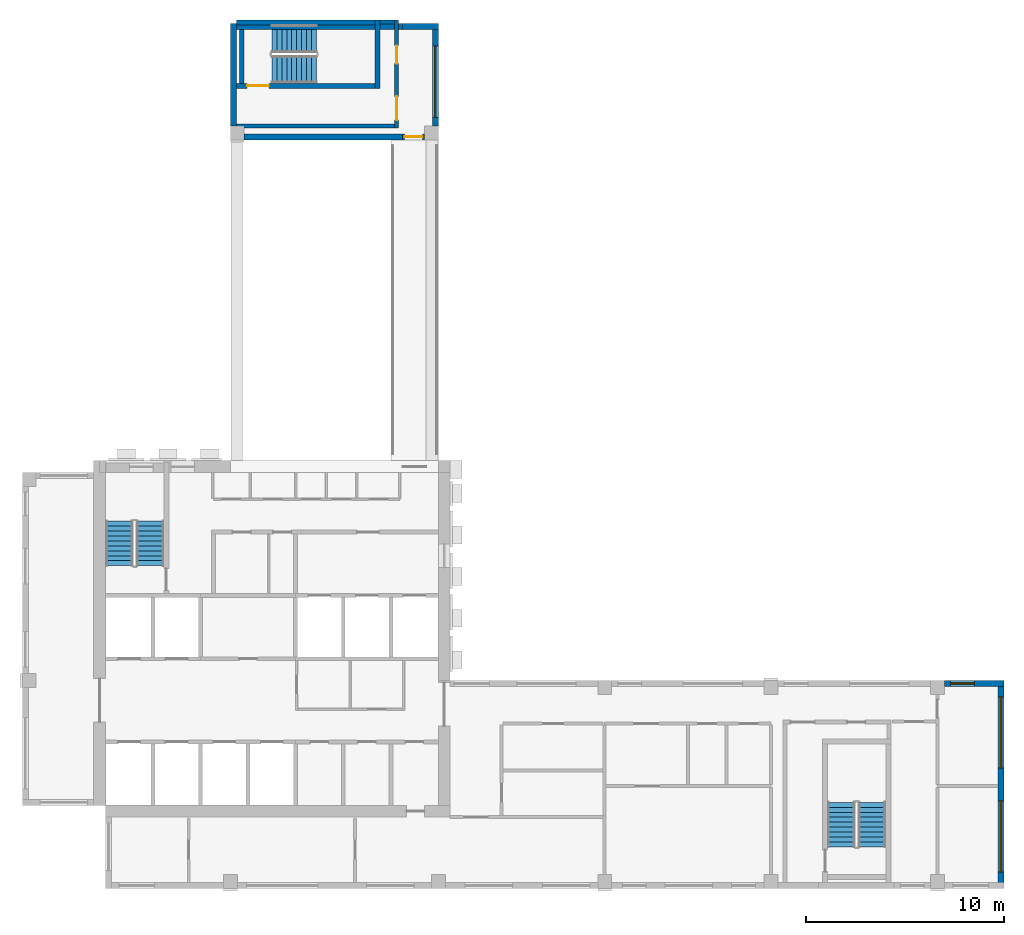
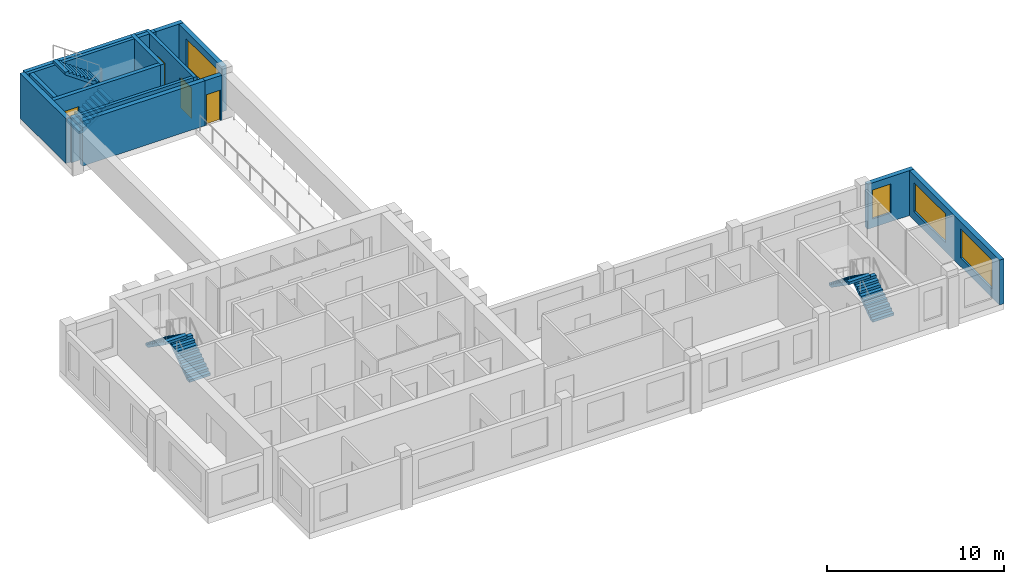
# One storey, part 5 of 9: 15 walls, 6 stair flights, 4 doors, 4 windows, 8 openings, 3 elements without a shape of their own.
"""IFC4 building model written with IfcOpenShell, lengths in metres."""

import ifcopenshell
import ifcopenshell.guid

model = None  # the IFC model being written
_history = None  # IfcOwnerHistory: only IFC2X3 demands one
_inside = {}  # id of a spatial element -> (the spatial element, [elements in it])
_under = {}  # id of a project, library or spatial element -> (it, [spatial elements below it])
_declared = {}  # id of a project -> (the project, [libraries it declares])
_typed = {}  # id of a type object -> (the type object, [elements of that type])
_made_of = {}  # id of a material, layer set ... -> (it, [elements and type objects made of it])


def new_model(schema):
    """Start an empty IFC model of exactly this schema.

    Asked for "IFC4X3", IfcOpenShell would pick the latest addendum, in which some entities
    have other attributes; the version numbers below select the first issue.
    IFC2X3 requires an IfcOwnerHistory on every rooted entity: one is made here for all.
    """
    global model, _history
    if schema == "IFC4X3":
        model = ifcopenshell.file(schema_version=(4, 3, 0, 0))
    else:
        model = ifcopenshell.file(schema=schema)
    _inside.clear()
    _under.clear()
    _declared.clear()
    _typed.clear()
    _made_of.clear()
    _history = None
    if model.schema == "IFC2X3":
        org = make("IfcOrganization", Name="unknown")
        user = make(
            "IfcPersonAndOrganization",
            ThePerson=make("IfcPerson", FamilyName="unknown"),
            TheOrganization=org,
        )
        app = make(
            "IfcApplication",
            ApplicationDeveloper=org,
            Version="unknown",
            ApplicationFullName="unknown",
            ApplicationIdentifier="unknown",
        )
        _history = make(
            "IfcOwnerHistory",
            OwningUser=user,
            OwningApplication=app,
            ChangeAction="ADDED",
            CreationDate=0,
        )
    return model


def make(cls, **values):
    """One entity of the class cls with the attributes given. An attribute that is None is left unset."""
    return model.create_entity(
        cls, **{name: value for name, value in values.items() if value is not None}
    )


def rooted(cls, **values):
    """An entity with a GlobalId (a new one), such as an element, a storey or a relation."""
    return make(cls, GlobalId=ifcopenshell.guid.new(), OwnerHistory=_history, **values)


def si_unit(unit_type, name, prefix=None):
    """IfcSIUnit, for example si_unit("LENGTHUNIT", "METRE", prefix="MILLI")."""
    return make("IfcSIUnit", UnitType=unit_type, Prefix=prefix, Name=name)


def assignment(units):
    """IfcUnitAssignment: the units of a project."""
    return None if units is None else make("IfcUnitAssignment", Units=units)


def point(xyz):
    """IfcCartesianPoint."""
    return None if xyz is None else make("IfcCartesianPoint", Coordinates=xyz)


def direction(xyz):
    """IfcDirection."""
    return None if xyz is None else make("IfcDirection", DirectionRatios=xyz)


def frame(location, z_axis=None, x_axis=None):
    """IfcAxis2Placement3D, a coordinate frame: its origin and axes. An axis left out is left unset."""
    return make(
        "IfcAxis2Placement3D",
        Location=point(location),
        Axis=direction(z_axis),
        RefDirection=direction(x_axis),
    )


def frame_2d(location, x_axis=None):
    """IfcAxis2Placement2D, a coordinate frame in the plane: its origin and x axis."""
    return make(
        "IfcAxis2Placement2D", Location=point(location), RefDirection=direction(x_axis)
    )


def origin():
    """The frame at (0, 0, 0) with its axes left unset."""
    return frame((0.0, 0.0, 0.0))


def place(relative_to, where):
    """IfcLocalPlacement: puts the frame where relative to a parent placement (None: the world)."""
    return make(
        "IfcLocalPlacement", PlacementRelTo=relative_to, RelativePlacement=where
    )


def context(
    kind, dimensions, precision=None, world=None, true_north=None, identifier=None
):
    """IfcGeometricRepresentationContext, for example the 3D "Model" context."""
    return make(
        "IfcGeometricRepresentationContext",
        ContextIdentifier=identifier,
        ContextType=kind,
        CoordinateSpaceDimension=dimensions,
        Precision=precision,
        WorldCoordinateSystem=world,
        TrueNorth=true_north,
    )


def subcontext(parent, identifier, kind, view, scale=None):
    """IfcGeometricRepresentationSubContext, for example "Body" below "Model"."""
    return make(
        "IfcGeometricRepresentationSubContext",
        ContextIdentifier=identifier,
        ContextType=kind,
        ParentContext=parent,
        TargetScale=scale,
        TargetView=view,
    )


def project(units=None, contexts=None):
    """IfcProject with its units and contexts."""
    return rooted(
        "IfcProject",
        Name="project",
        RepresentationContexts=contexts,
        UnitsInContext=assignment(units),
    )


def spatial(cls, under=None, at=None, **own):
    """A site, building, storey or space (cls), placed at a placement, below another one or the project."""
    s = rooted(cls, ObjectPlacement=at, **own)
    if under is not None:
        _under.setdefault(under.id(), (under, []))[1].append(s)
    return s


def polyline(points):
    """IfcPolyline through the points."""
    return make("IfcPolyline", Points=[point(p) for p in points])


def profile(cls, at=None, kind="AREA", **sizes):
    """A parametric profile (cls). Its sizes go by their IFC names, for example OverallWidth=200.0."""
    return make(cls, ProfileType=kind, Position=at, **sizes)


def rectangle(**sizes):
    """IfcRectangleProfileDef."""
    return profile("IfcRectangleProfileDef", **sizes)


def outline(outer, holes=None, kind="AREA"):
    """IfcArbitraryClosedProfileDef: a profile drawn as a closed curve; with holes, ...WithVoids."""
    if holes is None:
        return make("IfcArbitraryClosedProfileDef", ProfileType=kind, OuterCurve=outer)
    return make(
        "IfcArbitraryProfileDefWithVoids",
        ProfileType=kind,
        OuterCurve=outer,
        InnerCurves=holes,
    )


def extrude(swept, where, along, depth):
    """IfcExtrudedAreaSolid: the profile swept, set in the frame where, extruded along a direction by depth."""
    return make(
        "IfcExtrudedAreaSolid",
        SweptArea=swept,
        Position=where,
        ExtrudedDirection=direction(along),
        Depth=depth,
    )


def shape(context_of_items, identifier, shape_type, items):
    """IfcShapeRepresentation: the items that make up one representation, for example the "Body"."""
    return make(
        "IfcShapeRepresentation",
        ContextOfItems=context_of_items,
        RepresentationIdentifier=identifier,
        RepresentationType=shape_type,
        Items=items,
    )


def source(mapping_origin, context_of_items, identifier, shape_type, items):
    """IfcRepresentationMap: a shape defined once, which mapped items show again and again."""
    return make(
        "IfcRepresentationMap",
        MappingOrigin=mapping_origin,
        MappedRepresentation=shape(context_of_items, identifier, shape_type, items),
    )


def transform(
    local_origin,
    x_axis=None,
    y_axis=None,
    z_axis=None,
    scale=None,
    scale2=None,
    scale3=None,
    uniform=True,
):
    """IfcCartesianTransformationOperator3D, or its non-uniform kind. x_axis, y_axis, z_axis: its Axis1, 2, 3."""
    if uniform:
        return make(
            "IfcCartesianTransformationOperator3D",
            Axis1=direction(x_axis),
            Axis2=direction(y_axis),
            LocalOrigin=point(local_origin),
            Scale=scale,
            Axis3=direction(z_axis),
        )
    return make(
        "IfcCartesianTransformationOperator3DnonUniform",
        Axis1=direction(x_axis),
        Axis2=direction(y_axis),
        LocalOrigin=point(local_origin),
        Scale=scale,
        Axis3=direction(z_axis),
        Scale2=scale2,
        Scale3=scale3,
    )


def mapped(mapping_source, mapping_target):
    """IfcMappedItem: shows the shape of a source again, moved by a transform."""
    return make(
        "IfcMappedItem", MappingSource=mapping_source, MappingTarget=mapping_target
    )


def material(Name=None, Category=None):
    """IfcMaterial."""
    return make("IfcMaterial", Name=Name, Category=Category)


def layer(
    of_material, thickness, ventilated=None, Name=None, Category=None, Priority=None
):
    """IfcMaterialLayer: one layer of a wall or slab, of a material (None: an air gap)."""
    return make(
        "IfcMaterialLayer",
        Material=of_material,
        LayerThickness=thickness,
        IsVentilated=ventilated,
        Name=Name,
        Category=Category,
        Priority=Priority,
    )


def layer_set(layers, Name=None):
    """IfcMaterialLayerSet."""
    return make("IfcMaterialLayerSet", MaterialLayers=layers, LayerSetName=Name)


def made_of(thing, what):
    """Note that an element or type object is made of a material, layer set ...; save() writes the relation."""
    if what is not None:
        _made_of.setdefault(what.id(), (what, []))[1].append(thing)
    return thing


def type_object(cls, material=None, **own):
    """A type object (cls), such as IfcWallType, which elements share."""
    return made_of(rooted(cls, **own), material)


def element(
    cls,
    number,
    at=None,
    inside=None,
    cuts=None,
    type_object=None,
    material=None,
    context=None,
    identifier="Body",
    shape_type=None,
    held_by="IfcProductDefinitionShape",
    body=None,
    shapes=None,
    **own,
):
    """One element of the class cls, such as IfcWall. Its Tag is "e" and its number.

    at: its placement. inside: the storey or other place that contains it. cuts: it is an
    opening in that element (IfcRelVoidsElement). A single representation is given by context,
    identifier, shape_type and body (its items); several are given by shapes. held_by: the class
    of the entity that holds the representations. save() writes the other relations.
    """
    e = rooted(cls, Tag="e%d" % number, ObjectPlacement=at, **own)
    if body is not None:
        shapes = [shape(context, identifier, shape_type, body)]
    if shapes is not None:
        e.Representation = make(held_by, Representations=shapes)
    if inside is not None:
        _inside.setdefault(inside.id(), (inside, []))[1].append(e)
    if cuts is not None:
        rooted(
            "IfcRelVoidsElement", RelatingBuildingElement=cuts, RelatedOpeningElement=e
        )
    if type_object is not None:
        _typed.setdefault(type_object.id(), (type_object, []))[1].append(e)
    return made_of(e, material)


def fill(opening, filler):
    """IfcRelFillsElement: the door or window that sits in an opening."""
    return rooted(
        "IfcRelFillsElement",
        RelatingOpeningElement=opening,
        RelatedBuildingElement=filler,
    )


def aggregate(whole, parts):
    """IfcRelAggregates: a whole, such as a stair, and the parts it consists of."""
    return rooted("IfcRelAggregates", RelatingObject=whole, RelatedObjects=parts)


def save(model, path):
    """Write the relations noted so far, then the file.

    IfcRelAggregates (storeys below a building ...), IfcRelContainedInSpatialStructure (elements
    in a storey), IfcRelDefinesByType, IfcRelAssociatesMaterial and IfcRelDeclares: one each for
    every whole, place, type object, material and project.
    """
    for whole, parts in _under.values():
        aggregate(whole, parts)
    for where, things in _inside.values():
        rooted(
            "IfcRelContainedInSpatialStructure",
            RelatedElements=things,
            RelatingStructure=where,
        )
    for kind, things in _typed.values():
        rooted("IfcRelDefinesByType", RelatedObjects=things, RelatingType=kind)
    for what, things in _made_of.values():
        rooted("IfcRelAssociatesMaterial", RelatedObjects=things, RelatingMaterial=what)
    for by, libraries in _declared.values():
        rooted("IfcRelDeclares", RelatingContext=by, RelatedDefinitions=libraries)
    model.write(path)


model = new_model("IFC4")

# Units and contexts
model_context = context("Model", 3, precision=1e-05, world=origin(), true_north=direction((0.0, 1.0)))
body_context = subcontext(model_context, "Body", "Model", "MODEL_VIEW")
ifc_project = project(units=[si_unit("LENGTHUNIT", "METRE"), si_unit("AREAUNIT", "SQUARE_METRE"), si_unit("VOLUMEUNIT", "CUBIC_METRE"), si_unit("PLANEANGLEUNIT", "RADIAN"), si_unit("MASSUNIT", "GRAM", prefix="KILO")], contexts=[model_context])

# Site, building, storey
site_placement = place(None, origin())
site = spatial("IfcSite", under=ifc_project, at=site_placement, CompositionType="ELEMENT")
building_placement = place(site_placement, origin())
building = spatial("IfcBuilding", under=site, at=building_placement, Name="Aurelian Terraces", CompositionType="ELEMENT")
storey_placement = place(building_placement, frame((0.0, 0.0, 323.0)))
storey = spatial("IfcBuildingStorey", under=building, at=storey_placement, Name="L75", CompositionType="ELEMENT", Elevation=323.0)

# Wall, opening, window
ifc_material_1 = material(Name="Terracotta rainscreen cladding", Category="masonry")
ifc_layer_1 = layer(ifc_material_1, 0.3)
ifc_layer_set_1 = layer_set([ifc_layer_1], Name="EW-300")
wall_type_1 = type_object("IfcWallType", Name="EW-300", PredefinedType="STANDARD", material=ifc_layer_set_1)
shared_shape_1 = source(origin(), body_context, "Body", "SweptSolid", [
    extrude(rectangle(XDim=3.01, YDim=0.3, at=frame_2d((1.505, 0.0))), origin(), (0.0, 0.0, 1.0), 3.1),
])
wall_1_placement = place(storey_placement, frame((49.56, 10.35, 0.0), z_axis=(0.0, 0.0, 1.0), x_axis=(-1.0, 0.0, 0.0)))
wall_1 = element("IfcWall", 1, at=wall_1_placement, inside=storey, type_object=wall_type_1, Name="External wall L75 F03.8", PredefinedType="STANDARD", context=body_context, shape_type="MappedRepresentation", body=[
    mapped(shared_shape_1, transform((0.0, 0.0, 0.0), scale=1.0)),
])
shared_shape_2 = source(origin(), body_context, "Body", "SweptSolid", [
    extrude(rectangle(XDim=1.2, YDim=2.0, at=frame_2d((0.6, 1.0))), frame((0.0, 0.16, 0.0), z_axis=(0.0, -1.0, 0.0), x_axis=(1.0, 0.0, 0.0)), (0.0, 0.0, 1.0), 0.32),
])
opening_1_placement = place(wall_1_placement, frame((1.5, 0.0, 0.6)))
opening_1 = element("IfcOpeningElement", 2, at=opening_1_placement, cuts=wall_1, Name="Opening W1220", PredefinedType="OPENING", context=body_context, shape_type="MappedRepresentation", body=[
    mapped(shared_shape_2, transform((0.0, 0.0, 0.0), scale=1.0)),
])
ifc_material_2 = material(Name="Clear glazing", Category="glass")
window_type_1 = type_object("IfcWindowType", Name="W-1200x2000", PartitioningType="SINGLE_PANEL", PredefinedType="WINDOW", material=ifc_material_2)
shared_shape_3 = source(origin(), body_context, "Body", "SweptSolid", [
    extrude(rectangle(XDim=1.2, YDim=2.0, at=frame_2d((0.6, 1.0))), frame((0.0, 0.03, 0.0), z_axis=(0.0, -1.0, 0.0), x_axis=(1.0, 0.0, 0.0)), (0.0, 0.0, 1.0), 0.06),
])
window_1_placement = place(opening_1_placement, origin())
window_1 = element("IfcWindow", 3, at=window_1_placement, inside=storey, type_object=window_type_1, Name="Window L75 L75-F03-08-0", OverallHeight=2.0, OverallWidth=1.2, PartitioningType="SINGLE_PANEL", PredefinedType="WINDOW", context=body_context, shape_type="MappedRepresentation", body=[
    mapped(shared_shape_3, transform((0.0, 0.0, 0.0), scale=1.0)),
])
fill(opening_1, window_1)

# Wall, openings, windows
shared_shape_4 = source(origin(), body_context, "Body", "SweptSolid", [
    extrude(rectangle(XDim=10.5, YDim=0.3, at=frame_2d((5.25, 0.0))), origin(), (0.0, 0.0, 1.0), 3.1),
])
wall_2_placement = place(storey_placement, frame((49.41, 0.0, 0.0), z_axis=(0.0, 0.0, 1.0), x_axis=(0.0, 1.0, 0.0)))
wall_2 = element("IfcWall", 4, at=wall_2_placement, inside=storey, type_object=wall_type_1, Name="External wall L75 F02.7", PredefinedType="STANDARD", context=body_context, shape_type="MappedRepresentation", body=[
    mapped(shared_shape_4, transform((0.0, 0.0, 0.0), scale=1.0)),
])
shared_shape_5 = source(origin(), body_context, "Body", "SweptSolid", [
    extrude(rectangle(XDim=3.6, YDim=2.0, at=frame_2d((1.8, 1.0))), frame((0.0, 0.16, 0.0), z_axis=(0.0, -1.0, 0.0), x_axis=(1.0, 0.0, 0.0)), (0.0, 0.0, 1.0), 0.32),
])
opening_2_placement = place(wall_2_placement, frame((0.825, 0.0, 0.6)))
opening_2 = element("IfcOpeningElement", 5, at=opening_2_placement, cuts=wall_2, Name="Opening W3620", PredefinedType="OPENING", context=body_context, shape_type="MappedRepresentation", body=[
    mapped(shared_shape_5, transform((0.0, 0.0, 0.0), scale=1.0)),
])
opening_3_placement = place(wall_2_placement, frame((6.075, 0.0, 0.6)))
opening_3 = element("IfcOpeningElement", 6, at=opening_3_placement, cuts=wall_2, Name="Opening W3620", PredefinedType="OPENING", context=body_context, shape_type="MappedRepresentation", body=[
    mapped(shared_shape_5, transform((0.0, 0.0, 0.0), scale=1.0)),
])
window_type_2 = type_object("IfcWindowType", Name="W-3600x2000", PartitioningType="SINGLE_PANEL", PredefinedType="WINDOW", material=ifc_material_2)
shared_shape_6 = source(origin(), body_context, "Body", "SweptSolid", [
    extrude(rectangle(XDim=3.6, YDim=2.0, at=frame_2d((1.8, 1.0))), frame((0.0, 0.03, 0.0), z_axis=(0.0, -1.0, 0.0), x_axis=(1.0, 0.0, 0.0)), (0.0, 0.0, 1.0), 0.06),
])
window_2_placement = place(opening_2_placement, origin())
window_2 = element("IfcWindow", 7, at=window_2_placement, inside=storey, type_object=window_type_2, Name="Window L75 L75-F02-07-0", OverallHeight=2.0, OverallWidth=3.6, PartitioningType="SINGLE_PANEL", PredefinedType="WINDOW", context=body_context, shape_type="MappedRepresentation", body=[
    mapped(shared_shape_6, transform((0.0, 0.0, 0.0), scale=1.0)),
])
fill(opening_2, window_2)
window_3_placement = place(opening_3_placement, origin())
window_3 = element("IfcWindow", 8, at=window_3_placement, inside=storey, type_object=window_type_2, Name="Window L75 L75-F02-07-1", OverallHeight=2.0, OverallWidth=3.6, PartitioningType="SINGLE_PANEL", PredefinedType="WINDOW", context=body_context, shape_type="MappedRepresentation", body=[
    mapped(shared_shape_6, transform((0.0, 0.0, 0.0), scale=1.0)),
])
fill(opening_3, window_3)

# Walls
shared_shape_7 = source(origin(), body_context, "Body", "SweptSolid", [
    extrude(rectangle(XDim=1.8, YDim=0.3, at=frame_2d((0.9, 0.0))), origin(), (0.0, 0.0, 1.0), 3.1),
])
wall_3_placement = place(storey_placement, frame((21.0, 43.53, 0.0), z_axis=(0.0, 0.0, 1.0), x_axis=(-1.0, 0.0, 0.0)))
element("IfcWall", 9, at=wall_3_placement, inside=storey, type_object=wall_type_1, Name="External wall L75 F17.23", PredefinedType="STANDARD", context=body_context, shape_type="MappedRepresentation", body=[
    mapped(shared_shape_7, transform((0.0, 0.0, 0.0), scale=1.0)),
])
ifc_material_3 = material(Name="Concrete fc' 40 MPa", Category="concrete")
ifc_layer_2 = layer(ifc_material_3, 0.3)
ifc_layer_set_2 = layer_set([ifc_layer_2], Name="STAIR BAY WALL 300")
wall_type_2 = type_object("IfcWallType", Name="STAIR BAY WALL 300", PredefinedType="SOLIDWALL", material=ifc_layer_set_2)
shared_shape_8 = source(origin(), body_context, "Body", "SweptSolid", [
    extrude(rectangle(XDim=8.6, YDim=0.3, at=frame_2d((4.3, 0.0))), origin(), (0.0, 0.0, 1.0), 3.1),
])
wall_4_placement = place(storey_placement, frame((19.2, 43.53, 0.0), z_axis=(0.0, 0.0, 1.0), x_axis=(-1.0, 0.0, 0.0)))
element("IfcWall", 10, at=wall_4_placement, inside=storey, type_object=wall_type_2, Name="Stair bay wall L75 F17.23", PredefinedType="SOLIDWALL", context=body_context, shape_type="MappedRepresentation", body=[
    mapped(shared_shape_8, transform((0.0, 0.0, 0.0), scale=1.0)),
])
shared_shape_9 = source(origin(), body_context, "Body", "SweptSolid", [
    extrude(rectangle(XDim=8.0, YDim=0.3, at=frame_2d((4.0, 0.0))), origin(), (0.0, 0.0, 1.0), 3.1),
])
wall_5_placement = place(storey_placement, frame((11.2, 37.95, 0.0), z_axis=(0.0, 0.0, 1.0), x_axis=(1.0, 0.0, 0.0)))
element("IfcWall", 11, at=wall_5_placement, inside=storey, type_object=wall_type_2, Name="Stair bay wall L75 F15.21", PredefinedType="SOLIDWALL", context=body_context, shape_type="MappedRepresentation", body=[
    mapped(shared_shape_9, transform((0.0, 0.0, 0.0), scale=1.0)),
])

# Wall, opening, window
shared_shape_10 = source(origin(), body_context, "Body", "SweptSolid", [
    extrude(rectangle(XDim=5.18, YDim=0.3, at=frame_2d((2.59, 0.0))), origin(), (0.0, 0.0, 1.0), 3.1),
])
wall_6_placement = place(storey_placement, frame((20.85, 38.5, 0.0), z_axis=(0.0, 0.0, 1.0), x_axis=(0.0, 1.0, 0.0)))
wall_6 = element("IfcWall", 12, at=wall_6_placement, inside=storey, type_object=wall_type_1, Name="External wall L75 F16.22", PredefinedType="STANDARD", context=body_context, shape_type="MappedRepresentation", body=[
    mapped(shared_shape_10, transform((0.0, 0.0, 0.0), scale=1.0)),
])
opening_4_placement = place(wall_6_placement, frame((0.44, 0.0, 0.6)))
opening_4 = element("IfcOpeningElement", 13, at=opening_4_placement, cuts=wall_6, Name="Opening W3620", PredefinedType="OPENING", context=body_context, shape_type="MappedRepresentation", body=[
    mapped(shared_shape_5, transform((0.0, 0.0, 0.0), scale=1.0)),
])
window_4_placement = place(opening_4_placement, origin())
window_4 = element("IfcWindow", 14, at=window_4_placement, inside=storey, type_object=window_type_2, Name="Window L75 L75-F16-22-0", OverallHeight=2.0, OverallWidth=3.6, PartitioningType="SINGLE_PANEL", PredefinedType="WINDOW", context=body_context, shape_type="MappedRepresentation", body=[
    mapped(shared_shape_6, transform((0.0, 0.0, 0.0), scale=1.0)),
])
fill(opening_4, window_4)

# Wall
shared_shape_11 = source(origin(), body_context, "Body", "SweptSolid", [
    extrude(rectangle(XDim=5.18, YDim=0.3, at=frame_2d((2.59, 0.0))), origin(), (0.0, 0.0, 1.0), 3.1),
])
wall_7_placement = place(storey_placement, frame((10.65, 43.68, 0.0), z_axis=(0.0, 0.0, 1.0), x_axis=(0.0, -1.0, 0.0)))
element("IfcWall", 15, at=wall_7_placement, inside=storey, type_object=wall_type_2, Name="Stair bay wall L75 F18.24", PredefinedType="SOLIDWALL", context=body_context, shape_type="MappedRepresentation", body=[
    mapped(shared_shape_11, transform((0.0, 0.0, 0.0), scale=1.0)),
])

# Wall, opening, door
shared_shape_12 = source(origin(), body_context, "Body", "SweptSolid", [
    extrude(rectangle(XDim=1.1, YDim=0.3, at=frame_2d((0.55, 0.0))), origin(), (0.0, 0.0, 1.0), 3.1),
])
wall_8_placement = place(storey_placement, frame((19.2, 37.95, 0.0), z_axis=(0.0, 0.0, 1.0), x_axis=(1.0, 0.0, 0.0)))
wall_8 = element("IfcWall", 16, at=wall_8_placement, inside=storey, type_object=wall_type_1, Name="External wall L75 F15.21", PredefinedType="STANDARD", context=body_context, shape_type="MappedRepresentation", body=[
    mapped(shared_shape_12, transform((0.0, 0.0, 0.0), scale=1.0)),
])
shared_shape_13 = source(origin(), body_context, "Body", "SweptSolid", [
    extrude(rectangle(XDim=0.9, YDim=2.1, at=frame_2d((0.45, 1.05))), frame((0.0, 0.16, 0.0), z_axis=(0.0, -1.0, 0.0), x_axis=(1.0, 0.0, 0.0)), (0.0, 0.0, 1.0), 0.32),
])
opening_5_placement = place(wall_8_placement, frame((0.1, 0.0, 0.0)))
opening_5 = element("IfcOpeningElement", 17, at=opening_5_placement, cuts=wall_8, Name="Opening 87501", PredefinedType="OPENING", context=body_context, shape_type="MappedRepresentation", body=[
    mapped(shared_shape_13, transform((0.0, 0.0, 0.0), scale=1.0)),
])
door_type_1 = type_object("IfcDoorType", Name="BD-900x2100", OperationType="SLIDING_TO_LEFT", PredefinedType="DOOR", material=ifc_material_2)
shared_shape_14 = source(origin(), body_context, "Body", "SweptSolid", [
    extrude(rectangle(XDim=0.9, YDim=2.1, at=frame_2d((0.45, 1.05))), frame((0.0, 0.025, 0.0), z_axis=(0.0, -1.0, 0.0), x_axis=(1.0, 0.0, 0.0)), (0.0, 0.0, 1.0), 0.05),
])
door_1_placement = place(opening_5_placement, origin())
door_1 = element("IfcDoor", 18, at=door_1_placement, inside=storey, type_object=door_type_1, Name="Link bridge door L75 BLADE-W", OperationType="SLIDING_TO_LEFT", OverallHeight=2.1, OverallWidth=0.9, PredefinedType="DOOR", context=body_context, shape_type="MappedRepresentation", body=[
    mapped(shared_shape_14, transform((0.0, 0.0, 0.0), scale=1.0)),
])
fill(opening_5, door_1)

ifc_layer_3 = layer(ifc_material_3, 0.25)
ifc_layer_set_3 = layer_set([ifc_layer_3], Name="Stair enclosure wall 250")
wall_type_3 = type_object("IfcWallType", Name="Stair enclosure wall 250", PredefinedType="SOLIDWALL", material=ifc_layer_set_3)
shared_shape_15 = source(origin(), body_context, "Body", "SweptSolid", [
    extrude(rectangle(XDim=7.0, YDim=0.25, at=frame_2d((3.5, 0.0))), origin(), (0.0, 0.0, 1.0), 3.1),
])
wall_9_placement = place(storey_placement, frame((10.8, 40.525, 0.0), z_axis=(0.0, 0.0, 1.0), x_axis=(1.0, 0.0, 0.0)))
wall_9 = element("IfcWall", 19, at=wall_9_placement, inside=storey, type_object=wall_type_3, Name="L75 core wall ST-S3U-W", PredefinedType="SOLIDWALL", context=body_context, shape_type="MappedRepresentation", body=[
    mapped(shared_shape_15, transform((0.0, 0.0, 0.0), scale=1.0)),
])
shared_shape_16 = source(origin(), body_context, "Body", "SweptSolid", [
    extrude(rectangle(XDim=1.1, YDim=2.1, at=frame_2d((0.55, 1.05))), frame((0.0, 0.135, 0.0), z_axis=(0.0, -1.0, 0.0), x_axis=(1.0, 0.0, 0.0)), (0.0, 0.0, 1.0), 0.27),
])
opening_6_placement = place(wall_9_placement, frame((0.55, 0.0, 0.0)))
opening_6 = element("IfcOpeningElement", 20, at=opening_6_placement, cuts=wall_9, Name="Opening 67827", PredefinedType="OPENING", context=body_context, shape_type="MappedRepresentation", body=[
    mapped(shared_shape_16, transform((0.0, 0.0, 0.0), scale=1.0)),
])
ifc_material_4 = material(Name="Steel door leaf", Category="steel")
door_type_2 = type_object("IfcDoorType", Name="Core fire door 1100x2100 right", OperationType="SINGLE_SWING_RIGHT", PredefinedType="DOOR", material=ifc_material_4)
shared_shape_17 = source(origin(), body_context, "Body", "SweptSolid", [
    extrude(rectangle(XDim=1.1, YDim=2.1, at=frame_2d((0.55, 1.05))), frame((0.0, 0.025, 0.0), z_axis=(0.0, -1.0, 0.0), x_axis=(1.0, 0.0, 0.0)), (0.0, 0.0, 1.0), 0.05),
])
door_2_placement = place(opening_6_placement, origin())
door_2 = element("IfcDoor", 21, at=door_2_placement, inside=storey, type_object=door_type_2, Name="Stair door 67827", OperationType="SINGLE_SWING_RIGHT", OverallHeight=2.1, OverallWidth=1.1, PredefinedType="DOOR", context=body_context, shape_type="MappedRepresentation", body=[
    mapped(shared_shape_17, transform((0.0, 0.0, 0.0), scale=1.0)),
])
fill(opening_6, door_2)

# Walls
wall_10_placement = place(storey_placement, frame((10.8, 43.725, 0.0), z_axis=(0.0, 0.0, 1.0), x_axis=(1.0, 0.0, 0.0)))
element("IfcWall", 22, at=wall_10_placement, inside=storey, type_object=wall_type_3, Name="L75 core wall ST-S3U-E", PredefinedType="SOLIDWALL", context=body_context, shape_type="MappedRepresentation", body=[
    mapped(shared_shape_15, transform((0.0, 0.0, 0.0), scale=1.0)),
])
shared_shape_18 = source(origin(), body_context, "Body", "SweptSolid", [
    extrude(rectangle(XDim=3.45, YDim=0.25, at=frame_2d((1.725, 0.0))), origin(), (0.0, 0.0, 1.0), 3.1),
])
wall_11_placement = place(storey_placement, frame((17.925, 40.4, 0.0), z_axis=(0.0, 0.0, 1.0), x_axis=(0.0, 1.0, 0.0)))
element("IfcWall", 23, at=wall_11_placement, inside=storey, type_object=wall_type_3, Name="L75 core wall ST-S3U-N", PredefinedType="SOLIDWALL", context=body_context, shape_type="MappedRepresentation", body=[
    mapped(shared_shape_18, transform((0.0, 0.0, 0.0), scale=1.0)),
])
ifc_material_5 = material(Name="Gypsum board on steel studs", Category="steel")
ifc_layer_4 = layer(ifc_material_5, 0.2)
ifc_layer_set_4 = layer_set([ifc_layer_4], Name="Core partition 200")
wall_type_4 = type_object("IfcWallType", Name="Core partition 200", PredefinedType="PARTITIONING", material=ifc_layer_set_4)
shared_shape_19 = source(origin(), body_context, "Body", "SweptSolid", [
    extrude(rectangle(XDim=8.0, YDim=0.2, at=frame_2d((4.0, 0.0))), origin(), (0.0, 0.0, 1.0), 3.1),
])
wall_12_placement = place(storey_placement, frame((10.8, 38.5, 0.0), z_axis=(0.0, 0.0, 1.0), x_axis=(1.0, 0.0, 0.0)))
element("IfcWall", 24, at=wall_12_placement, inside=storey, type_object=wall_type_4, Name="L75 core wall ST-S3U-VW", PredefinedType="PARTITIONING", context=body_context, shape_type="MappedRepresentation", body=[
    mapped(shared_shape_19, transform((0.0, 0.0, 0.0), scale=1.0)),
])

# Wall, openings, doors
shared_shape_20 = source(origin(), body_context, "Body", "SweptSolid", [
    extrude(rectangle(XDim=5.45, YDim=0.2, at=frame_2d((2.725, 0.0))), origin(), (0.0, 0.0, 1.0), 3.1),
])
wall_13_placement = place(storey_placement, frame((18.9, 38.4, 0.0), z_axis=(0.0, 0.0, 1.0), x_axis=(0.0, 1.0, 0.0)))
wall_13 = element("IfcWall", 25, at=wall_13_placement, inside=storey, type_object=wall_type_4, Name="L75 core wall ST-S3U-BN", PredefinedType="PARTITIONING", context=body_context, shape_type="MappedRepresentation", body=[
    mapped(shared_shape_20, transform((0.0, 0.0, 0.0), scale=1.0)),
])
shared_shape_21 = source(origin(), body_context, "Body", "SweptSolid", [
    extrude(rectangle(XDim=1.2, YDim=2.1, at=frame_2d((0.6, 1.05))), frame((0.0, 0.11, 0.0), z_axis=(0.0, -1.0, 0.0), x_axis=(1.0, 0.0, 0.0)), (0.0, 0.0, 1.0), 0.22),
])
opening_7_placement = place(wall_13_placement, frame((0.4, 0.0, 0.0)))
opening_7 = element("IfcOpeningElement", 26, at=opening_7_placement, cuts=wall_13, Name="Opening 67828", PredefinedType="OPENING", context=body_context, shape_type="MappedRepresentation", body=[
    mapped(shared_shape_21, transform((0.0, 0.0, 0.0), scale=1.0)),
])
shared_shape_22 = source(origin(), body_context, "Body", "SweptSolid", [
    extrude(rectangle(XDim=0.9, YDim=2.1, at=frame_2d((0.45, 1.05))), frame((0.0, 0.11, 0.0), z_axis=(0.0, -1.0, 0.0), x_axis=(1.0, 0.0, 0.0)), (0.0, 0.0, 1.0), 0.22),
])
opening_8_placement = place(wall_13_placement, frame((3.25, 0.0, 0.0)))
opening_8 = element("IfcOpeningElement", 27, at=opening_8_placement, cuts=wall_13, Name="Opening 67829", PredefinedType="OPENING", context=body_context, shape_type="MappedRepresentation", body=[
    mapped(shared_shape_22, transform((0.0, 0.0, 0.0), scale=1.0)),
])
door_type_3 = type_object("IfcDoorType", Name="Core riser door 900x2100 right", OperationType="SINGLE_SWING_RIGHT", PredefinedType="DOOR", material=ifc_material_4)
door_3_placement = place(opening_8_placement, origin())
door_3 = element("IfcDoor", 28, at=door_3_placement, inside=storey, type_object=door_type_3, Name="Riser door 67829", OperationType="SINGLE_SWING_RIGHT", OverallHeight=2.1, OverallWidth=0.9, PredefinedType="DOOR", context=body_context, shape_type="MappedRepresentation", body=[
    mapped(shared_shape_14, transform((0.0, 0.0, 0.0), scale=1.0)),
])
fill(opening_8, door_3)
door_type_4 = type_object("IfcDoorType", Name="Core fire door 1200x2100", OperationType="SINGLE_SWING_LEFT", PredefinedType="DOOR", material=ifc_material_4)
shared_shape_23 = source(origin(), body_context, "Body", "SweptSolid", [
    extrude(rectangle(XDim=1.2, YDim=2.1, at=frame_2d((0.6, 1.05))), frame((0.0, 0.025, 0.0), z_axis=(0.0, -1.0, 0.0), x_axis=(1.0, 0.0, 0.0)), (0.0, 0.0, 1.0), 0.05),
])
door_4_placement = place(opening_7_placement, origin())
door_4 = element("IfcDoor", 29, at=door_4_placement, inside=storey, type_object=door_type_4, Name="Vestibule door 67828", OperationType="SINGLE_SWING_LEFT", OverallHeight=2.1, OverallWidth=1.2, PredefinedType="DOOR", context=body_context, shape_type="MappedRepresentation", body=[
    mapped(shared_shape_23, transform((0.0, 0.0, 0.0), scale=1.0)),
])
fill(opening_7, door_4)

# Walls
shared_shape_24 = source(origin(), body_context, "Body", "SweptSolid", [
    extrude(rectangle(XDim=0.75, YDim=0.2, at=frame_2d((0.375, 0.0))), origin(), (0.0, 0.0, 1.0), 3.1),
])
wall_14_placement = place(storey_placement, frame((18.05, 43.75, 0.0), z_axis=(0.0, 0.0, 1.0), x_axis=(1.0, 0.0, 0.0)))
element("IfcWall", 30, at=wall_14_placement, inside=storey, type_object=wall_type_4, Name="L75 core wall ST-S3U-RE", PredefinedType="PARTITIONING", context=body_context, shape_type="MappedRepresentation", body=[
    mapped(shared_shape_24, transform((0.0, 0.0, 0.0), scale=1.0)),
])
shared_shape_25 = source(origin(), body_context, "Body", "SweptSolid", [
    extrude(rectangle(XDim=2.73, YDim=0.25, at=frame_2d((1.365, 0.0))), origin(), (0.0, 0.0, 1.0), 3.1),
])
wall_15_placement = place(storey_placement, frame((11.075, 40.65, 0.0), z_axis=(0.0, 0.0, 1.0), x_axis=(0.0, 1.0, 0.0)))
element("IfcWall", 31, at=wall_15_placement, inside=storey, type_object=wall_type_3, Name="L75 core wall ST-S3U-SS", PredefinedType="SOLIDWALL", context=body_context, shape_type="MappedRepresentation", body=[
    mapped(shared_shape_25, transform((0.0, 0.0, 0.0), scale=1.0)),
])

# Stair, stair flights
stair_type = type_object("IfcStairType", Name="Stair 1400", PredefinedType="HALF_TURN_STAIR", material=ifc_material_3)
stair_1_placement = place(storey_placement, origin())
stair_1 = element("IfcStair", 32, at=stair_1_placement, inside=storey, type_object=stair_type, Name="L75 S1", PredefinedType="HALF_TURN_STAIR")
stair_flight_type = type_object("IfcStairFlightType", Name="Stair flight 1400", PredefinedType="STRAIGHT", material=ifc_material_3)
shared_shape_26 = source(origin(), body_context, "Body", "SweptSolid", [
    extrude(outline(polyline([(0.0, 0.0), (0.0, 0.175), (0.25, 0.175), (0.25, 0.35), (0.5, 0.35), (0.5, 0.525), (0.75, 0.525), (0.75, 0.7), (1.0, 0.7), (1.0, 0.875), (1.25, 0.875), (1.25, 1.05), (1.5, 1.05), (1.5, 1.225), (1.75, 1.225), (1.75, 1.4), (2.0, 1.4), (2.0, 1.575), (2.25, 1.575), (2.25, 1.75), (2.25, 1.3919), (0.2616, 0.0), (0.0, 0.0)])), frame((0.0, 0.7, 0.0), z_axis=(0.0, -1.0, 0.0), x_axis=(1.0, 0.0, 0.0)), (0.0, 0.0, 1.0), 1.4),
])
stair_flight_1_placement = place(storey_placement, frame((6.45, 16.3, 2e-08), z_axis=(0.0, 0.0, 1.0), x_axis=(0.0, 1.0, 0.0)))
stair_flight_1 = element("IfcStairFlight", 33, at=stair_flight_1_placement, type_object=stair_flight_type, Name="S1 flight 1", NumberOfRisers=10, NumberOfTreads=9, PredefinedType="STRAIGHT", RiserHeight=0.175, TreadLength=0.25, context=body_context, shape_type="MappedRepresentation", body=[
    mapped(shared_shape_26, transform((0.0, 0.0, 0.0), scale=1.0)),
])
stair_flight_2_placement = place(storey_placement, frame((4.9, 18.55, 1.75000002), z_axis=(0.0, 0.0, 1.0), x_axis=(0.0, -1.0, 0.0)))
stair_flight_2 = element("IfcStairFlight", 34, at=stair_flight_2_placement, type_object=stair_flight_type, Name="S1 flight 2", NumberOfRisers=10, NumberOfTreads=9, PredefinedType="STRAIGHT", RiserHeight=0.175, TreadLength=0.25, context=body_context, shape_type="MappedRepresentation", body=[
    mapped(shared_shape_26, transform((0.0, 0.0, 0.0), scale=1.0)),
])
aggregate(stair_1, [stair_flight_1, stair_flight_2])

stair_2_placement = place(storey_placement, origin())
stair_2 = element("IfcStair", 35, at=stair_2_placement, inside=storey, type_object=stair_type, Name="L75 S2", PredefinedType="HALF_TURN_STAIR")
stair_flight_3_placement = place(storey_placement, frame((42.9, 2.1, 2e-08), z_axis=(0.0, 0.0, 1.0), x_axis=(0.0, 1.0, 0.0)))
stair_flight_3 = element("IfcStairFlight", 36, at=stair_flight_3_placement, type_object=stair_flight_type, Name="S2 flight 1", NumberOfRisers=10, NumberOfTreads=9, PredefinedType="STRAIGHT", RiserHeight=0.175, TreadLength=0.25, context=body_context, shape_type="MappedRepresentation", body=[
    mapped(shared_shape_26, transform((0.0, 0.0, 0.0), scale=1.0)),
])
stair_flight_4_placement = place(storey_placement, frame((41.35, 4.35, 1.75000002), z_axis=(0.0, 0.0, 1.0), x_axis=(0.0, -1.0, 0.0)))
stair_flight_4 = element("IfcStairFlight", 37, at=stair_flight_4_placement, type_object=stair_flight_type, Name="S2 flight 2", NumberOfRisers=10, NumberOfTreads=9, PredefinedType="STRAIGHT", RiserHeight=0.175, TreadLength=0.25, context=body_context, shape_type="MappedRepresentation", body=[
    mapped(shared_shape_26, transform((0.0, 0.0, 0.0), scale=1.0)),
])
aggregate(stair_2, [stair_flight_3, stair_flight_4])

stair_3_placement = place(storey_placement, origin())
stair_3 = element("IfcStair", 38, at=stair_3_placement, inside=storey, type_object=stair_type, Name="L75 S3U", PredefinedType="HALF_TURN_STAIR")
stair_flight_5_placement = place(storey_placement, frame((12.6, 41.35, 2e-08), z_axis=(0.0, 0.0, 1.0), x_axis=(1.0, 0.0, 0.0)))
stair_flight_5 = element("IfcStairFlight", 39, at=stair_flight_5_placement, type_object=stair_flight_type, Name="S3U flight 1", NumberOfRisers=10, NumberOfTreads=9, PredefinedType="STRAIGHT", RiserHeight=0.175, TreadLength=0.25, context=body_context, shape_type="MappedRepresentation", body=[
    mapped(shared_shape_26, transform((0.0, 0.0, 0.0), scale=1.0)),
])
stair_flight_6_placement = place(storey_placement, frame((14.85, 42.9, 1.75000002), z_axis=(0.0, 0.0, 1.0), x_axis=(-1.0, 0.0, 0.0)))
stair_flight_6 = element("IfcStairFlight", 40, at=stair_flight_6_placement, type_object=stair_flight_type, Name="S3U flight 2", NumberOfRisers=10, NumberOfTreads=9, PredefinedType="STRAIGHT", RiserHeight=0.175, TreadLength=0.25, context=body_context, shape_type="MappedRepresentation", body=[
    mapped(shared_shape_26, transform((0.0, 0.0, 0.0), scale=1.0)),
])
aggregate(stair_3, [stair_flight_5, stair_flight_6])

save(model, "model.ifc")
